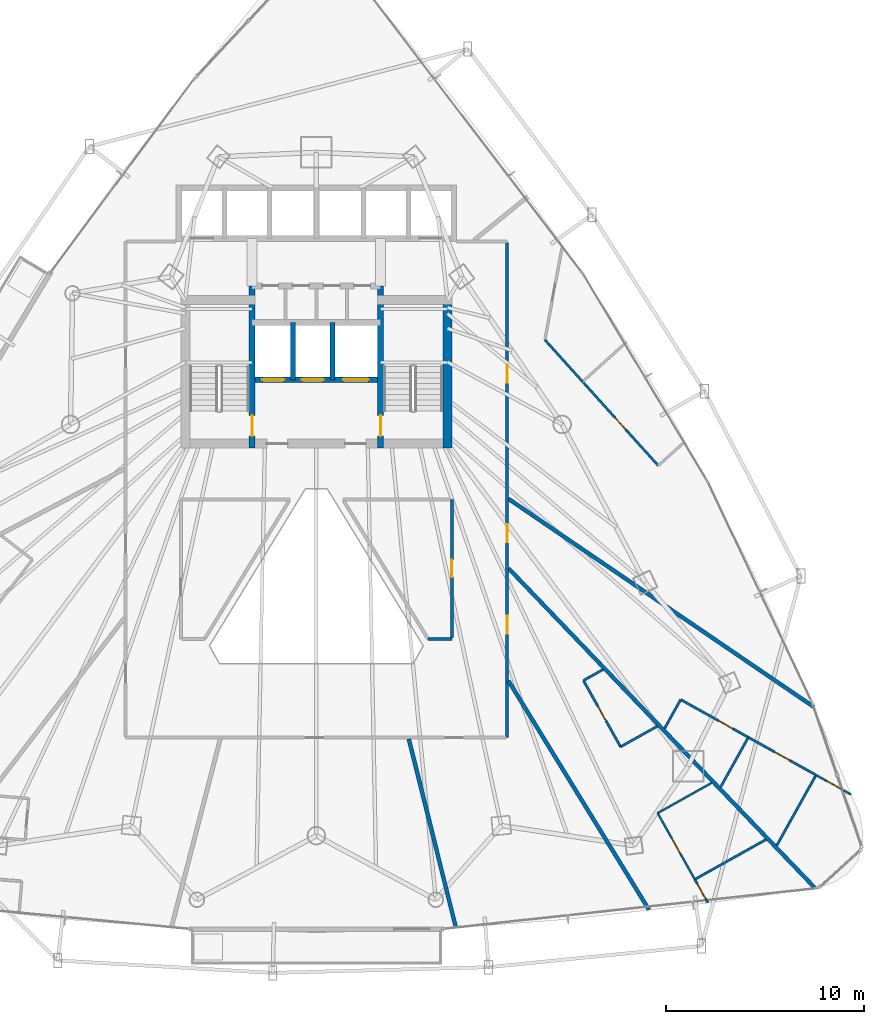
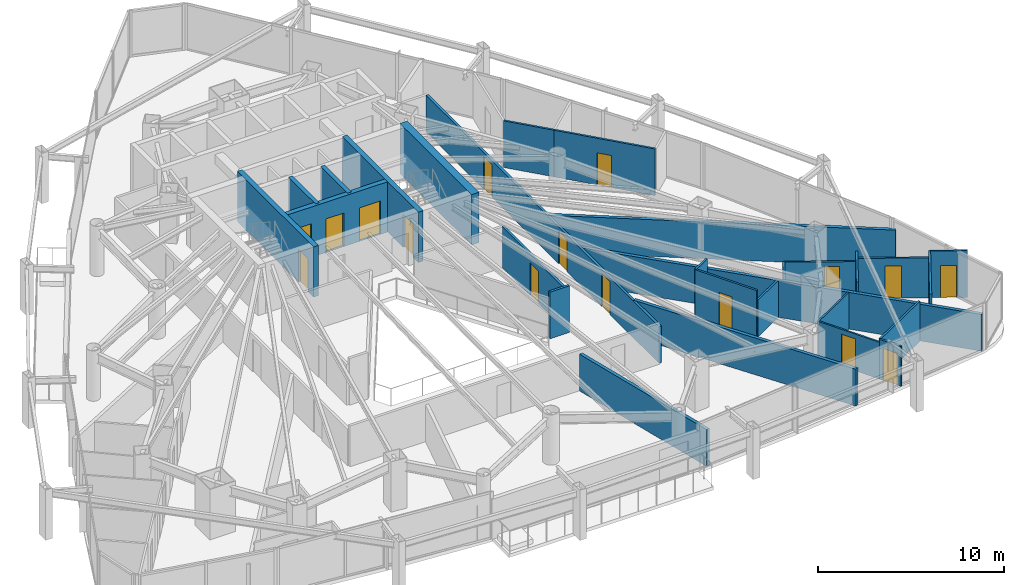
# One storey, part 30 of 34: 28 walls, 16 doors, 16 openings.
"""IFC4 building model written with IfcOpenShell, lengths in metres."""

from ifc_helpers import new_model, si_unit, direction, frame, frame_2d, origin, place, context, subcontext, project, spatial, rectangle, extrude, material, layer, layer_set, type_object, element, fill, save


model = new_model("IFC4")

# Units and contexts
model_context = context("Model", 3, precision=1e-05, world=origin(), true_north=direction((0.0, 1.0)))
body_context = subcontext(model_context, "Body", "Model", "MODEL_VIEW")
ifc_project = project(units=[si_unit("LENGTHUNIT", "METRE"), si_unit("AREAUNIT", "SQUARE_METRE"), si_unit("VOLUMEUNIT", "CUBIC_METRE"), si_unit("PLANEANGLEUNIT", "RADIAN"), si_unit("MASSUNIT", "GRAM", prefix="KILO")], contexts=[model_context])

# Site, building, storey
site_placement = place(None, origin())
site = spatial("IfcSite", under=ifc_project, at=site_placement, CompositionType="ELEMENT")
building_placement = place(site_placement, origin())
building = spatial("IfcBuilding", under=site, at=building_placement, Name="Orvanel Arch Residences", CompositionType="ELEMENT")
storey_placement = place(building_placement, frame((0.0, 0.0, 74.14990234375)))
storey = spatial("IfcBuildingStorey", under=building, at=storey_placement, Name="L20", CompositionType="ELEMENT", Elevation=74.14990234375)

# Walls
ifc_material_1 = material(Name="Concrete N50 (50 MPa)", Category="concrete")
ifc_layer_1 = layer(ifc_material_1, 0.25)
ifc_layer_set_1 = layer_set([ifc_layer_1], Name="Concrete N50 (50 MPa)")
wall_type_1 = type_object("IfcWallType", Name="SW-CORE-250", PredefinedType="SHEAR", material=ifc_layer_set_1)
for number, where, z_axis, x_axis, name in (
    (1, (31.824951171875, 29.89990234375, 0.0), (0.0, 0.0, 1.0), (0.0, 1.0, 0.0), "L20 Emergency Lift Inter-Shaft Wall F12"),
    (2, (33.824951171875, 29.89990234375, 0.0), (0.0, 0.0, 1.0), (0.0, 1.0, 0.0), "L20 Emergency Lift Inter-Shaft Wall F2G"),
):
    element("IfcWall", number, at=place(storey_placement, frame(where, z_axis=z_axis, x_axis=x_axis)), inside=storey, type_object=wall_type_1, Name=name, PredefinedType="SHEAR", context=body_context, shape_type="SweptSolid", body=[
        extrude(rectangle(XDim=2.900146484375, YDim=0.25, at=frame_2d((1.4501953125, 0.0))), origin(), (0.0, 0.0, 1.0), 3.300048828125),
    ])

# Wall, opening, door
ifc_material_2 = material(Name="Concrete S80 (80 MPa)", Category="concrete")
ifc_layer_2 = layer(ifc_material_2, 0.300048828125)
ifc_layer_set_2 = layer_set([ifc_layer_2], Name="Concrete S80 (80 MPa)")
wall_type_2 = type_object("IfcWallType", Name="SW-CORE-300", PredefinedType="SHEAR", material=ifc_layer_set_2)
wall_1_placement = place(storey_placement, frame((29.75, 26.449951171875, 0.0), z_axis=(0.0, 0.0, 1.0), x_axis=(0.0, 1.0, 0.0)))
wall_1 = element("IfcWall", 3, at=wall_1_placement, inside=storey, type_object=wall_type_2, Name="L20 West Inner Core Spine Shear Wall", PredefinedType="SHEAR", context=body_context, shape_type="SweptSolid", body=[
    extrude(rectangle(XDim=8.199951171875, YDim=0.300048828125, at=frame_2d((4.10009765625, 0.0))), origin(), (0.0, 0.0, 1.0), 3.300048828125),
])
opening_1_placement = place(wall_1_placement, frame((0.60009765625, 0.0, 0.0)))
opening_1 = element("IfcOpeningElement", 4, at=opening_1_placement, cuts=wall_1, Name="Opening DF-120", PredefinedType="OPENING", context=body_context, shape_type="SweptSolid", body=[
    extrude(rectangle(XDim=1.050048828125, YDim=2.14990234375, at=frame_2d((0.52490234375, 1.074951171875))), frame((0.0, 0.159912109375, 0.0), z_axis=(0.0, -1.0, 0.0), x_axis=(1.0, 0.0, 0.0)), (0.0, 0.0, 1.0), 0.320068359375),
])
ifc_material_3 = material(Name="Galvanised steel fire-resisting door assembly", Category="steel")
door_type_1 = type_object("IfcDoorType", Name="DR-FD120-1050", OperationType="NOTDEFINED", PredefinedType="DOOR", material=ifc_material_3)
door_1_placement = place(opening_1_placement, origin())
door_1 = element("IfcDoor", 5, at=door_1_placement, inside=storey, type_object=door_type_1, Name="DR-L20-ST1 L20 Stair 1 Fire Door", OperationType="SINGLE_SWING_LEFT", OverallHeight=2.14990234375, OverallWidth=1.050048828125, PredefinedType="DOOR", context=body_context, shape_type="SweptSolid", body=[
    extrude(rectangle(XDim=1.050048828125, YDim=2.14990234375, at=frame_2d((0.52490234375, 1.074951171875))), frame((0.0, 0.02490234375, 0.0), z_axis=(0.0, -1.0, 0.0), x_axis=(1.0, 0.0, 0.0)), (0.0, 0.0, 1.0), 0.050048828125),
])
fill(opening_1, door_1)

wall_2_placement = place(storey_placement, frame((36.25, 26.449951171875, 0.0), z_axis=(0.0, 0.0, 1.0), x_axis=(0.0, 1.0, 0.0)))
wall_2 = element("IfcWall", 6, at=wall_2_placement, inside=storey, type_object=wall_type_2, Name="L20 East Inner Core Spine Shear Wall", PredefinedType="SHEAR", context=body_context, shape_type="SweptSolid", body=[
    extrude(rectangle(XDim=8.199951171875, YDim=0.300048828125, at=frame_2d((4.10009765625, 0.0))), origin(), (0.0, 0.0, 1.0), 3.300048828125),
])
opening_2_placement = place(wall_2_placement, frame((0.60009765625, 0.0, 0.0)))
opening_2 = element("IfcOpeningElement", 7, at=opening_2_placement, cuts=wall_2, Name="Opening DF-120", PredefinedType="OPENING", context=body_context, shape_type="SweptSolid", body=[
    extrude(rectangle(XDim=1.050048828125, YDim=2.14990234375, at=frame_2d((0.52490234375, 1.074951171875))), frame((0.0, 0.159912109375, 0.0), z_axis=(0.0, -1.0, 0.0), x_axis=(1.0, 0.0, 0.0)), (0.0, 0.0, 1.0), 0.320068359375),
])
door_2_placement = place(opening_2_placement, origin())
door_2 = element("IfcDoor", 8, at=door_2_placement, inside=storey, type_object=door_type_1, Name="DR-L20-ST2 L20 Stair 2 Fire Door", OperationType="SINGLE_SWING_RIGHT", OverallHeight=2.14990234375, OverallWidth=1.050048828125, PredefinedType="DOOR", context=body_context, shape_type="SweptSolid", body=[
    extrude(rectangle(XDim=1.050048828125, YDim=2.14990234375, at=frame_2d((0.52490234375, 1.074951171875))), frame((0.0, 0.02490234375, 0.0), z_axis=(0.0, -1.0, 0.0), x_axis=(1.0, 0.0, 0.0)), (0.0, 0.0, 1.0), 0.050048828125),
])
fill(opening_2, door_2)

# Wall, openings, doors
wall_3_placement = place(storey_placement, frame((36.25, 29.89990234375, 0.0), z_axis=(0.0, 0.0, 1.0), x_axis=(-1.0, 0.0, 0.0)))
wall_3 = element("IfcWall", 9, at=wall_3_placement, inside=storey, type_object=wall_type_2, Name="L20 Emergency Lift Front Core Shear Wall", PredefinedType="SHEAR", context=body_context, shape_type="SweptSolid", body=[
    extrude(rectangle(XDim=6.5, YDim=0.300048828125, at=frame_2d((3.25, 0.0))), origin(), (0.0, 0.0, 1.0), 3.300048828125),
])
opening_3_placement = place(wall_3_placement, frame((4.875, 0.0, 0.0)))
opening_3 = element("IfcOpeningElement", 10, at=opening_3_placement, cuts=wall_3, Name="Opening LD-110", PredefinedType="OPENING", context=body_context, shape_type="SweptSolid", body=[
    extrude(rectangle(XDim=1.10009765625, YDim=2.199951171875, at=frame_2d((0.550048828125, 1.10009765625))), frame((0.0, 0.159912109375, 0.0), z_axis=(0.0, -1.0, 0.0), x_axis=(1.0, 0.0, 0.0)), (0.0, 0.0, 1.0), 0.320068359375),
])
opening_4_placement = place(wall_3_placement, frame((2.875, 0.0, 0.0)))
opening_4 = element("IfcOpeningElement", 11, at=opening_4_placement, cuts=wall_3, Name="Opening LD-110", PredefinedType="OPENING", context=body_context, shape_type="SweptSolid", body=[
    extrude(rectangle(XDim=1.10009765625, YDim=2.199951171875, at=frame_2d((0.550048828125, 1.10009765625))), frame((0.0, 0.159912109375, 0.0), z_axis=(0.0, -1.0, 0.0), x_axis=(1.0, 0.0, 0.0)), (0.0, 0.0, 1.0), 0.320068359375),
])
opening_5_placement = place(wall_3_placement, frame((0.60009765625, 0.0, 0.0)))
opening_5 = element("IfcOpeningElement", 12, at=opening_5_placement, cuts=wall_3, Name="Opening LD-130", PredefinedType="OPENING", context=body_context, shape_type="SweptSolid", body=[
    extrude(rectangle(XDim=1.300048828125, YDim=2.199951171875, at=frame_2d((0.64990234375, 1.10009765625))), frame((0.0, 0.159912109375, 0.0), z_axis=(0.0, -1.0, 0.0), x_axis=(1.0, 0.0, 0.0)), (0.0, 0.0, 1.0), 0.320068359375),
])
door_type_2 = type_object("IfcDoorType", Name="DR-LFT-1100", OperationType="NOTDEFINED", PredefinedType="DOOR", material=ifc_material_3)
door_3_placement = place(opening_3_placement, origin())
door_3 = element("IfcDoor", 13, at=door_3_placement, inside=storey, type_object=door_type_2, Name="LD-F1-L20 L20 Lift F1 Sliding Landing Door", OperationType="DOUBLE_DOOR_SLIDING", OverallHeight=2.199951171875, OverallWidth=1.10009765625, PredefinedType="DOOR", context=body_context, shape_type="SweptSolid", body=[
    extrude(rectangle(XDim=1.10009765625, YDim=2.199951171875, at=frame_2d((0.550048828125, 1.10009765625))), frame((0.0, 0.02490234375, 0.0), z_axis=(0.0, -1.0, 0.0), x_axis=(1.0, 0.0, 0.0)), (0.0, 0.0, 1.0), 0.050048828125),
])
fill(opening_3, door_3)
door_4_placement = place(opening_4_placement, origin())
door_4 = element("IfcDoor", 14, at=door_4_placement, inside=storey, type_object=door_type_2, Name="LD-F2-L20 L20 Lift F2 Sliding Landing Door", OperationType="DOUBLE_DOOR_SLIDING", OverallHeight=2.199951171875, OverallWidth=1.10009765625, PredefinedType="DOOR", context=body_context, shape_type="SweptSolid", body=[
    extrude(rectangle(XDim=1.10009765625, YDim=2.199951171875, at=frame_2d((0.550048828125, 1.10009765625))), frame((0.0, 0.02490234375, 0.0), z_axis=(0.0, -1.0, 0.0), x_axis=(1.0, 0.0, 0.0)), (0.0, 0.0, 1.0), 0.050048828125),
])
fill(opening_4, door_4)
door_type_3 = type_object("IfcDoorType", Name="DR-LFT-1300", OperationType="NOTDEFINED", PredefinedType="DOOR", material=ifc_material_3)
door_5_placement = place(opening_5_placement, origin())
door_5 = element("IfcDoor", 15, at=door_5_placement, inside=storey, type_object=door_type_3, Name="LD-G1-L20 L20 Lift G1 Sliding Landing Door", OperationType="DOUBLE_DOOR_SLIDING", OverallHeight=2.199951171875, OverallWidth=1.300048828125, PredefinedType="DOOR", context=body_context, shape_type="SweptSolid", body=[
    extrude(rectangle(XDim=1.300048828125, YDim=2.199951171875, at=frame_2d((0.64990234375, 1.10009765625))), frame((0.0, 0.02490234375, 0.0), z_axis=(0.0, -1.0, 0.0), x_axis=(1.0, 0.0, 0.0)), (0.0, 0.0, 1.0), 0.050048828125),
])
fill(opening_5, door_5)

# Wall
ifc_layer_3 = layer(ifc_material_2, 0.449951171875)
ifc_layer_set_3 = layer_set([ifc_layer_3], Name="Concrete S80 (80 MPa)")
wall_type_3 = type_object("IfcWallType", Name="SW-CORE-450", PredefinedType="SHEAR", material=ifc_layer_set_3)
wall_4_placement = place(storey_placement, frame((39.625, 26.449951171875, 0.0), z_axis=(0.0, 0.0, 1.0), x_axis=(0.0, 1.0, 0.0)))
element("IfcWall", 16, at=wall_4_placement, inside=storey, type_object=wall_type_3, Name="L20 East Stair Shear Wall", PredefinedType="SHEAR", context=body_context, shape_type="SweptSolid", body=[
    extrude(rectangle(XDim=7.699951171875, YDim=0.449951171875, at=frame_2d((3.85009765625, 0.0))), origin(), (0.0, 0.0, 1.0), 3.300048828125),
])

# Wall, openings, doors
ifc_material_4 = material(Name="Fire-rated plasterboard lined steel stud partition", Category="steel")
ifc_layer_4 = layer(ifc_material_4, 0.14990234375)
ifc_layer_set_4 = layer_set([ifc_layer_4], Name="Fire-rated plasterboard lined steel stud partition")
wall_type_4 = type_object("IfcWallType", Name="W-COR-150", PredefinedType="PARTITIONING", material=ifc_layer_set_4)
wall_5_placement = place(storey_placement, frame((42.64990234375, 36.840087890625, 0.0), z_axis=(0.0, 0.0, 1.0), x_axis=(0.0, -1.0, 0.0)))
wall_5 = element("IfcWall", 17, at=wall_5_placement, inside=storey, type_object=wall_type_4, Name="L20 Corridor Fire-Rated Partition", PredefinedType="PARTITIONING", context=body_context, shape_type="SweptSolid", body=[
    extrude(rectangle(XDim=25.0400390625, YDim=0.14990234375, at=frame_2d((12.52001953125, 0.0))), origin(), (0.0, 0.0, 1.0), 2.4130859375),
])
opening_6_placement = place(wall_5_placement, frame((6.1708984375, 0.0, 0.0)))
opening_6 = element("IfcOpeningElement", 18, at=opening_6_placement, cuts=wall_5, Name="Opening DA-092", PredefinedType="OPENING", context=body_context, shape_type="SweptSolid", body=[
    extrude(rectangle(XDim=0.919921875, YDim=2.14990234375, at=frame_2d((0.4599609375, 1.074951171875))), frame((0.0, 0.0849609375, 0.0), z_axis=(0.0, -1.0, 0.0), x_axis=(1.0, 0.0, 0.0)), (0.0, 0.0, 1.0), 0.169921875),
])
opening_7_placement = place(wall_5_placement, frame((14.2490234375, 0.0, 0.0)))
opening_7 = element("IfcOpeningElement", 19, at=opening_7_placement, cuts=wall_5, Name="Opening DA-092", PredefinedType="OPENING", context=body_context, shape_type="SweptSolid", body=[
    extrude(rectangle(XDim=0.919921875, YDim=2.14990234375, at=frame_2d((0.4599609375, 1.074951171875))), frame((0.0, 0.0849609375, 0.0), z_axis=(0.0, -1.0, 0.0), x_axis=(1.0, 0.0, 0.0)), (0.0, 0.0, 1.0), 0.169921875),
])
opening_8_placement = place(wall_5_placement, frame((18.8720703125, 0.0, 0.0)))
opening_8 = element("IfcOpeningElement", 20, at=opening_8_placement, cuts=wall_5, Name="Opening DA-092", PredefinedType="OPENING", context=body_context, shape_type="SweptSolid", body=[
    extrude(rectangle(XDim=0.919921875, YDim=2.14990234375, at=frame_2d((0.4599609375, 1.074951171875))), frame((0.0, 0.0849609375, 0.0), z_axis=(0.0, -1.0, 0.0), x_axis=(1.0, 0.0, 0.0)), (0.0, 0.0, 1.0), 0.169921875),
])
ifc_material_5 = material(Name="Solid-core European oak veneer fire door leaf", Category="wood")
door_type_4 = type_object("IfcDoorType", Name="DR-APT-920", OperationType="NOTDEFINED", PredefinedType="DOOR", material=ifc_material_5)
door_6_placement = place(opening_6_placement, origin())
door_6 = element("IfcDoor", 21, at=door_6_placement, inside=storey, type_object=door_type_4, Name="DR-L20-C-ENT L20 Studio C Entrance Door", OperationType="SINGLE_SWING_RIGHT", OverallHeight=2.14990234375, OverallWidth=0.919921875, PredefinedType="DOOR", context=body_context, shape_type="SweptSolid", body=[
    extrude(rectangle(XDim=0.919921875, YDim=2.14990234375, at=frame_2d((0.4599609375, 1.074951171875))), frame((0.0, 0.02490234375, 0.0), z_axis=(0.0, -1.0, 0.0), x_axis=(1.0, 0.0, 0.0)), (0.0, 0.0, 1.0), 0.050048828125),
])
fill(opening_6, door_6)
door_7_placement = place(opening_7_placement, origin())
door_7 = element("IfcDoor", 22, at=door_7_placement, inside=storey, type_object=door_type_4, Name="DR-L20-F-ENT L20 Flat F Entrance Door", OperationType="SINGLE_SWING_LEFT", OverallHeight=2.14990234375, OverallWidth=0.919921875, PredefinedType="DOOR", context=body_context, shape_type="SweptSolid", body=[
    extrude(rectangle(XDim=0.919921875, YDim=2.14990234375, at=frame_2d((0.4599609375, 1.074951171875))), frame((0.0, 0.02490234375, 0.0), z_axis=(0.0, -1.0, 0.0), x_axis=(1.0, 0.0, 0.0)), (0.0, 0.0, 1.0), 0.050048828125),
])
fill(opening_7, door_7)
door_8_placement = place(opening_8_placement, origin())
door_8 = element("IfcDoor", 23, at=door_8_placement, inside=storey, type_object=door_type_4, Name="DR-L20-G-ENT L20 Studio G Entrance Door", OperationType="SINGLE_SWING_RIGHT", OverallHeight=2.14990234375, OverallWidth=0.919921875, PredefinedType="DOOR", context=body_context, shape_type="SweptSolid", body=[
    extrude(rectangle(XDim=0.919921875, YDim=2.14990234375, at=frame_2d((0.4599609375, 1.074951171875))), frame((0.0, 0.02490234375, 0.0), z_axis=(0.0, -1.0, 0.0), x_axis=(1.0, 0.0, 0.0)), (0.0, 0.0, 1.0), 0.050048828125),
])
fill(opening_8, door_8)

# Wall
wall_6_placement = place(storey_placement, frame((38.64990234375, 16.800048828125, 0.0), z_axis=(0.0, 0.0, 1.0), x_axis=(1.0, 0.0, 0.0)))
element("IfcWall", 24, at=wall_6_placement, inside=storey, type_object=wall_type_4, Name="L20 Corridor Fire-Rated Partition", PredefinedType="PARTITIONING", context=body_context, shape_type="SweptSolid", body=[
    extrude(rectangle(XDim=1.2001953125, YDim=0.14990234375, at=frame_2d((0.60009765625, 0.0))), origin(), (0.0, 0.0, 1.0), 3.06005859375),
])

# Wall, opening, door
wall_7_placement = place(storey_placement, frame((39.85009765625, 16.860107421875, 0.0), z_axis=(0.0, 0.0, 1.0), x_axis=(0.0, 1.0, 0.0)))
wall_7 = element("IfcWall", 25, at=wall_7_placement, inside=storey, type_object=wall_type_4, Name="L20 Corridor Fire-Rated Partition", PredefinedType="PARTITIONING", context=body_context, shape_type="SweptSolid", body=[
    extrude(rectangle(XDim=6.989990234375, YDim=0.14990234375, at=frame_2d((3.4951171875, 0.0))), origin(), (0.0, 0.0, 1.0), 2.669189453125),
])
opening_9_placement = place(wall_7_placement, frame((3.054931640625, 0.0, 0.0)))
opening_9 = element("IfcOpeningElement", 26, at=opening_9_placement, cuts=wall_7, Name="Opening DI-088", PredefinedType="OPENING", context=body_context, shape_type="SweptSolid", body=[
    extrude(rectangle(XDim=0.8798828125, YDim=2.10009765625, at=frame_2d((0.43994140625, 1.050048828125))), frame((0.0, 0.0849609375, 0.0), z_axis=(0.0, -1.0, 0.0), x_axis=(1.0, 0.0, 0.0)), (0.0, 0.0, 1.0), 0.169921875),
])
door_type_5 = type_object("IfcDoorType", Name="DR-INT-880", OperationType="NOTDEFINED", PredefinedType="DOOR", material=ifc_material_5)
door_9_placement = place(opening_9_placement, origin())
door_9 = element("IfcDoor", 27, at=door_9_placement, inside=storey, type_object=door_type_5, Name="DR-L20-SHRD-FB9 L20 Co-Working Study Office I Door", OperationType="SINGLE_SWING_LEFT", OverallHeight=2.10009765625, OverallWidth=0.8798828125, PredefinedType="DOOR", context=body_context, shape_type="SweptSolid", body=[
    extrude(rectangle(XDim=0.8798828125, YDim=2.10009765625, at=frame_2d((0.43994140625, 1.050048828125))), frame((0.0, 0.02490234375, 0.0), z_axis=(0.0, -1.0, 0.0), x_axis=(1.0, 0.0, 0.0)), (0.0, 0.0, 1.0), 0.050048828125),
])
fill(opening_9, door_9)

# Walls
ifc_layer_5 = layer(ifc_material_4, 0.199951171875)
ifc_layer_set_5 = layer_set([ifc_layer_5], Name="Fire-rated plasterboard lined steel stud partition")
wall_type_5 = type_object("IfcWallType", Name="W-DEM-200", PredefinedType="PARTITIONING", material=ifc_layer_set_5)
wall_8_placement = place(storey_placement, frame((58.1650390625, 13.35009765625, 0.0), z_axis=(0.0, 0.0, 1.0), x_axis=(-0.826341659386, 0.563169123766, 0.0)))
element("IfcWall", 28, at=wall_8_placement, inside=storey, type_object=wall_type_5, Name="L20 Inter-Tenancy Acoustic Demising Wall", PredefinedType="PARTITIONING", context=body_context, shape_type="SweptSolid", body=[
    extrude(rectangle(XDim=18.703125, YDim=0.199951171875, at=frame_2d((9.3515625, 0.0))), origin(), (0.0, 0.0, 1.0), 2.4130859375),
])
wall_9_placement = place(storey_placement, frame((37.677001953125, 11.739990234375, 0.0), z_axis=(0.0, 0.0, 1.0), x_axis=(0.241946282122, -0.970289645707, 0.0)))
element("IfcWall", 29, at=wall_9_placement, inside=storey, type_object=wall_type_5, Name="L20 Inter-Tenancy Acoustic Demising Wall", PredefinedType="PARTITIONING", context=body_context, shape_type="SweptSolid", body=[
    extrude(rectangle(XDim=9.845458984375, YDim=0.199951171875, at=frame_2d((4.9228515625, 0.0))), origin(), (0.0, 0.0, 1.0), 2.4130859375),
])
wall_10_placement = place(storey_placement, frame((58.237060546875, 4.178955078125, 0.0), z_axis=(0.0, 0.0, 1.0), x_axis=(-0.69208567792, 0.721815360337, 0.0)))
element("IfcWall", 30, at=wall_10_placement, inside=storey, type_object=wall_type_5, Name="L20 Inter-Tenancy Acoustic Demising Wall", PredefinedType="PARTITIONING", context=body_context, shape_type="SweptSolid", body=[
    extrude(rectangle(XDim=22.435302734375, YDim=0.199951171875, at=frame_2d((11.2177734375, 0.0))), origin(), (0.0, 0.0, 1.0), 2.4130859375),
])
wall_11_placement = place(storey_placement, frame((49.826904296875, 3.090087890625, 0.0), z_axis=(0.0, 0.0, 1.0), x_axis=(-0.523146880199, 0.852242536921, 0.0)))
element("IfcWall", 31, at=wall_11_placement, inside=storey, type_object=wall_type_5, Name="L20 Inter-Tenancy Acoustic Demising Wall", PredefinedType="PARTITIONING", context=body_context, shape_type="SweptSolid", body=[
    extrude(rectangle(XDim=13.60400390625, YDim=0.199951171875, at=frame_2d((6.802001953125, 0.0))), origin(), (0.0, 0.0, 1.0), 2.4130859375),
])

# Wall, opening, door
ifc_material_6 = material(Name="Acoustic plasterboard lined twin-stud partition", Category="gypsum")
ifc_layer_6 = layer(ifc_material_6, 0.10009765625)
ifc_layer_set_6 = layer_set([ifc_layer_6], Name="Acoustic plasterboard lined twin-stud partition")
wall_type_6 = type_object("IfcWallType", Name="W-INT-100", PredefinedType="PARTITIONING", material=ifc_layer_set_6)
wall_12_placement = place(storey_placement, frame((60.0439453125, 8.923095703125, 0.0), z_axis=(0.0, 0.0, 1.0), x_axis=(-0.873680423781, 0.486500274514, 0.0)))
wall_12 = element("IfcWall", 32, at=wall_12_placement, inside=storey, type_object=wall_type_6, Name="L20 Flat F Internal Partition", PredefinedType="PARTITIONING", context=body_context, shape_type="SweptSolid", body=[
    extrude(rectangle(XDim=2.030517578125, YDim=0.10009765625, at=frame_2d((1.01513671875, 0.0))), origin(), (0.0, 0.0, 1.0), 3.06005859375),
])
opening_10_placement = place(wall_12_placement, frame((0.574951171875, 0.0, 0.0)))
opening_10 = element("IfcOpeningElement", 33, at=opening_10_placement, cuts=wall_12, Name="Opening DI-088", PredefinedType="OPENING", context=body_context, shape_type="SweptSolid", body=[
    extrude(rectangle(XDim=0.8798828125, YDim=2.10009765625, at=frame_2d((0.43994140625, 1.050048828125))), frame((0.0, 0.06005859375, 0.0), z_axis=(0.0, -1.0, 0.0), x_axis=(1.0, 0.0, 0.0)), (0.0, 0.0, 1.0), 0.1201171875),
])
door_10_placement = place(opening_10_placement, origin())
door_10 = element("IfcDoor", 34, at=door_10_placement, inside=storey, type_object=door_type_5, Name="DR-L20-F-BED1 L20 Flat F Bedroom 1 Door", OperationType="SINGLE_SWING_LEFT", OverallHeight=2.10009765625, OverallWidth=0.8798828125, PredefinedType="DOOR", context=body_context, shape_type="SweptSolid", body=[
    extrude(rectangle(XDim=0.8798828125, YDim=2.10009765625, at=frame_2d((0.43994140625, 1.050048828125))), frame((0.0, 0.02490234375, 0.0), z_axis=(0.0, -1.0, 0.0), x_axis=(1.0, 0.0, 0.0)), (0.0, 0.0, 1.0), 0.050048828125),
])
fill(opening_10, door_10)

# Wall
wall_13_placement = place(storey_placement, frame((52.9990234375, 9.51904296875, 0.0), z_axis=(0.0, 0.0, 1.0), x_axis=(-0.87247814598, -0.488653133406, 0.0)))
element("IfcWall", 35, at=wall_13_placement, inside=storey, type_object=wall_type_6, Name="L20 Studio G Internal Partition", PredefinedType="PARTITIONING", context=body_context, shape_type="SweptSolid", body=[
    extrude(rectangle(XDim=3.13720703125, YDim=0.10009765625, at=frame_2d((1.568603515625, 0.0))), origin(), (0.0, 0.0, 1.0), 2.4130859375),
])

# Wall, opening, door
wall_14_placement = place(storey_placement, frame((50.261962890625, 7.986083984375, 0.0), z_axis=(0.0, 0.0, 1.0), x_axis=(0.488564666262, -0.872527688317, 0.0)))
wall_14 = element("IfcWall", 36, at=wall_14_placement, inside=storey, type_object=wall_type_6, Name="L20 Studio G Internal Partition", PredefinedType="PARTITIONING", context=body_context, shape_type="SweptSolid", body=[
    extrude(rectangle(XDim=3.841796875, YDim=0.10009765625, at=frame_2d((1.9208984375, 0.0))), origin(), (0.0, 0.0, 1.0), 2.4130859375),
])
opening_11_placement = place(wall_14_placement, frame((1.48095703125, 0.0, 0.0)))
opening_11 = element("IfcOpeningElement", 37, at=opening_11_placement, cuts=wall_14, Name="Opening DI-088", PredefinedType="OPENING", context=body_context, shape_type="SweptSolid", body=[
    extrude(rectangle(XDim=0.8798828125, YDim=2.10009765625, at=frame_2d((0.43994140625, 1.050048828125))), frame((0.0, 0.06005859375, 0.0), z_axis=(0.0, -1.0, 0.0), x_axis=(1.0, 0.0, 0.0)), (0.0, 0.0, 1.0), 0.1201171875),
])
door_11_placement = place(opening_11_placement, origin())
door_11 = element("IfcDoor", 38, at=door_11_placement, inside=storey, type_object=door_type_5, Name="DR-L20-G-DIN1 L20 Studio G Dining Room 1 Door", OperationType="SINGLE_SWING_LEFT", OverallHeight=2.10009765625, OverallWidth=0.8798828125, PredefinedType="DOOR", context=body_context, shape_type="SweptSolid", body=[
    extrude(rectangle(XDim=0.8798828125, YDim=2.10009765625, at=frame_2d((0.43994140625, 1.050048828125))), frame((0.0, 0.02490234375, 0.0), z_axis=(0.0, -1.0, 0.0), x_axis=(1.0, 0.0, 0.0)), (0.0, 0.0, 1.0), 0.050048828125),
])
fill(opening_11, door_11)

ifc_layer_7 = layer(ifc_material_6, 0.1201171875)
ifc_layer_set_7 = layer_set([ifc_layer_7], Name="Acoustic plasterboard lined twin-stud partition")
wall_type_7 = type_object("IfcWallType", Name="W-WET-120", PredefinedType="PARTITIONING", material=ifc_layer_set_7)
wall_15_placement = place(storey_placement, frame((46.466064453125, 29.802978515625, 0.0), z_axis=(0.0, 0.0, 1.0), x_axis=(0.669491047861, -0.742820124144, 0.0)))
wall_15 = element("IfcWall", 39, at=wall_15_placement, inside=storey, type_object=wall_type_7, Name="L20 Studio C Bathroom Partition", PredefinedType="PARTITIONING", context=body_context, shape_type="SweptSolid", body=[
    extrude(rectangle(XDim=5.713134765625, YDim=0.1201171875, at=frame_2d((2.8564453125, 0.0))), origin(), (0.0, 0.0, 1.0), 3.06005859375),
])
opening_12_placement = place(wall_15_placement, frame((2.447021484375, 0.0, 0.0)))
opening_12 = element("IfcOpeningElement", 40, at=opening_12_placement, cuts=wall_15, Name="Opening DW-082", PredefinedType="OPENING", context=body_context, shape_type="SweptSolid", body=[
    extrude(rectangle(XDim=0.820068359375, YDim=2.10009765625, at=frame_2d((0.41015625, 1.050048828125))), frame((0.0, 0.070068359375, 0.0), z_axis=(0.0, -1.0, 0.0), x_axis=(1.0, 0.0, 0.0)), (0.0, 0.0, 1.0), 0.14013671875),
])
door_type_6 = type_object("IfcDoorType", Name="DR-WET-820", OperationType="NOTDEFINED", PredefinedType="DOOR", material=ifc_material_5)
door_12_placement = place(opening_12_placement, origin())
door_12 = element("IfcDoor", 41, at=door_12_placement, inside=storey, type_object=door_type_6, Name="DR-L20-C-BATH L20 Studio C Bathroom Door", OperationType="SINGLE_SWING_RIGHT", OverallHeight=2.10009765625, OverallWidth=0.820068359375, PredefinedType="DOOR", context=body_context, shape_type="SweptSolid", body=[
    extrude(rectangle(XDim=0.820068359375, YDim=2.10009765625, at=frame_2d((0.41015625, 1.050048828125))), frame((0.0, 0.02490234375, 0.0), z_axis=(0.0, -1.0, 0.0), x_axis=(1.0, 0.0, 0.0)), (0.0, 0.0, 1.0), 0.050048828125),
])
fill(opening_12, door_12)

# Wall
wall_16_placement = place(storey_placement, frame((44.55810546875, 31.9189453125, 0.0), z_axis=(0.0, 0.0, 1.0), x_axis=(0.669660366513, -0.742667485165, 0.0)))
element("IfcWall", 42, at=wall_16_placement, inside=storey, type_object=wall_type_7, Name="L20 Studio C Internal Partition", PredefinedType="PARTITIONING", context=body_context, shape_type="SweptSolid", body=[
    extrude(rectangle(XDim=2.84912109375, YDim=0.1201171875, at=frame_2d((1.424560546875, 0.0))), origin(), (0.0, 0.0, 1.0), 3.06005859375),
])

# Wall, opening, door
wall_17_placement = place(storey_placement, frame((54.846923828125, 11.818115234375, 0.0), z_axis=(0.0, 0.0, 1.0), x_axis=(-0.87346578699, 0.486885529624, 0.0)))
wall_17 = element("IfcWall", 43, at=wall_17_placement, inside=storey, type_object=wall_type_7, Name="L20 Flat F Bathroom Partition", PredefinedType="PARTITIONING", context=body_context, shape_type="SweptSolid", body=[
    extrude(rectangle(XDim=3.918701171875, YDim=0.1201171875, at=frame_2d((1.95947265625, 0.0))), origin(), (0.0, 0.0, 1.0), 2.4130859375),
])
opening_13_placement = place(wall_17_placement, frame((0.909912109375, 0.0, 0.0)))
opening_13 = element("IfcOpeningElement", 44, at=opening_13_placement, cuts=wall_17, Name="Opening DW-082", PredefinedType="OPENING", context=body_context, shape_type="SweptSolid", body=[
    extrude(rectangle(XDim=0.820068359375, YDim=2.10009765625, at=frame_2d((0.41015625, 1.050048828125))), frame((0.0, 0.070068359375, 0.0), z_axis=(0.0, -1.0, 0.0), x_axis=(1.0, 0.0, 0.0)), (0.0, 0.0, 1.0), 0.14013671875),
])
door_13_placement = place(opening_13_placement, origin())
door_13 = element("IfcDoor", 45, at=door_13_placement, inside=storey, type_object=door_type_6, Name="DR-L20-F-BATH L20 Flat F Bathroom Door", OperationType="SINGLE_SWING_RIGHT", OverallHeight=2.10009765625, OverallWidth=0.820068359375, PredefinedType="DOOR", context=body_context, shape_type="SweptSolid", body=[
    extrude(rectangle(XDim=0.820068359375, YDim=2.10009765625, at=frame_2d((0.41015625, 1.050048828125))), frame((0.0, 0.02490234375, 0.0), z_axis=(0.0, -1.0, 0.0), x_axis=(1.0, 0.0, 0.0)), (0.0, 0.0, 1.0), 0.050048828125),
])
fill(opening_13, door_13)

# Wall
wall_18_placement = place(storey_placement, frame((51.424072265625, 13.72607421875, 0.0), z_axis=(0.0, 0.0, 1.0), x_axis=(-0.486605473044, -0.873621836726, 0.0)))
element("IfcWall", 46, at=wall_18_placement, inside=storey, type_object=wall_type_7, Name="L20 Flat F Bathroom Partition", PredefinedType="PARTITIONING", context=body_context, shape_type="SweptSolid", body=[
    extrude(rectangle(XDim=1.67919921875, YDim=0.1201171875, at=frame_2d((0.839599609375, 0.0))), origin(), (0.0, 0.0, 1.0), 2.4130859375),
])

# Wall, opening, door
wall_19_placement = place(storey_placement, frame((58.27001953125, 9.910888671875, 0.0), z_axis=(0.0, 0.0, 1.0), x_axis=(-0.873560029318, 0.486716421727, 0.0)))
wall_19 = element("IfcWall", 47, at=wall_19_placement, inside=storey, type_object=wall_type_7, Name="L20 Flat F Internal Partition", PredefinedType="PARTITIONING", context=body_context, shape_type="SweptSolid", body=[
    extrude(rectangle(XDim=3.91845703125, YDim=0.1201171875, at=frame_2d((1.959228515625, 0.0))), origin(), (0.0, 0.0, 1.0), 2.619140625),
])
opening_14_placement = place(wall_19_placement, frame((1.51904296875, 0.0, 0.0)))
opening_14 = element("IfcOpeningElement", 48, at=opening_14_placement, cuts=wall_19, Name="Opening DI-088", PredefinedType="OPENING", context=body_context, shape_type="SweptSolid", body=[
    extrude(rectangle(XDim=0.8798828125, YDim=2.10009765625, at=frame_2d((0.43994140625, 1.050048828125))), frame((0.0, 0.070068359375, 0.0), z_axis=(0.0, -1.0, 0.0), x_axis=(1.0, 0.0, 0.0)), (0.0, 0.0, 1.0), 0.14013671875),
])
door_14_placement = place(opening_14_placement, origin())
door_14 = element("IfcDoor", 49, at=door_14_placement, inside=storey, type_object=door_type_5, Name="DR-L20-F-KIT L20 Flat F Kitchen Door", OperationType="SINGLE_SWING_LEFT", OverallHeight=2.10009765625, OverallWidth=0.8798828125, PredefinedType="DOOR", context=body_context, shape_type="SweptSolid", body=[
    extrude(rectangle(XDim=0.8798828125, YDim=2.10009765625, at=frame_2d((0.43994140625, 1.050048828125))), frame((0.0, 0.02490234375, 0.0), z_axis=(0.0, -1.0, 0.0), x_axis=(1.0, 0.0, 0.0)), (0.0, 0.0, 1.0), 0.050048828125),
])
fill(opening_14, door_14)

# Walls
wall_20_placement = place(storey_placement, frame((54.846923828125, 11.818115234375, 0.0), z_axis=(0.0, 0.0, 1.0), x_axis=(-0.486822226103, -0.873501070504, 0.0)))
element("IfcWall", 50, at=wall_20_placement, inside=storey, type_object=wall_type_7, Name="L20 Flat F Bathroom Partition", PredefinedType="PARTITIONING", context=body_context, shape_type="SweptSolid", body=[
    extrude(rectangle(XDim=2.881591796875, YDim=0.1201171875, at=frame_2d((1.44091796875, 0.0))), origin(), (0.0, 0.0, 1.0), 3.06005859375),
])
wall_21_placement = place(storey_placement, frame((58.27001953125, 9.910888671875, 0.0), z_axis=(0.0, 0.0, 1.0), x_axis=(-0.486824622959, -0.873499734677, 0.0)))
element("IfcWall", 51, at=wall_21_placement, inside=storey, type_object=wall_type_7, Name="L20 Flat F Internal Partition", PredefinedType="PARTITIONING", context=body_context, shape_type="SweptSolid", body=[
    extrude(rectangle(XDim=4.085693359375, YDim=0.1201171875, at=frame_2d((2.04296875, 0.0))), origin(), (0.0, 0.0, 1.0), 3.06005859375),
])
wall_22_placement = place(storey_placement, frame((47.5048828125, 15.2490234375, 0.0), z_axis=(0.0, 0.0, 1.0), x_axis=(-0.872914025969, -0.487874064967, 0.0)))
element("IfcWall", 52, at=wall_22_placement, inside=storey, type_object=wall_type_7, Name="L20 Studio G Bathroom Partition", PredefinedType="PARTITIONING", context=body_context, shape_type="SweptSolid", body=[
    extrude(rectangle(XDim=1.141845703125, YDim=0.1201171875, at=frame_2d((0.57080078125, 0.0))), origin(), (0.0, 0.0, 1.0), 3.06005859375),
])

# Wall, opening, door
wall_23_placement = place(storey_placement, frame((46.508056640625, 14.69189453125, 0.0), z_axis=(0.0, 0.0, 1.0), x_axis=(0.488483407483, -0.872573183529, 0.0)))
wall_23 = element("IfcWall", 53, at=wall_23_placement, inside=storey, type_object=wall_type_7, Name="L20 Studio G Bathroom Partition", PredefinedType="PARTITIONING", context=body_context, shape_type="SweptSolid", body=[
    extrude(rectangle(XDim=3.842529296875, YDim=0.1201171875, at=frame_2d((1.92138671875, 0.0))), origin(), (0.0, 0.0, 1.0), 3.06005859375),
])
opening_15_placement = place(wall_23_placement, frame((1.510986328125, 0.0, 0.0)))
opening_15 = element("IfcOpeningElement", 54, at=opening_15_placement, cuts=wall_23, Name="Opening DW-082", PredefinedType="OPENING", context=body_context, shape_type="SweptSolid", body=[
    extrude(rectangle(XDim=0.820068359375, YDim=2.10009765625, at=frame_2d((0.41015625, 1.050048828125))), frame((0.0, 0.070068359375, 0.0), z_axis=(0.0, -1.0, 0.0), x_axis=(1.0, 0.0, 0.0)), (0.0, 0.0, 1.0), 0.14013671875),
])
door_15_placement = place(opening_15_placement, origin())
door_15 = element("IfcDoor", 55, at=door_15_placement, inside=storey, type_object=door_type_6, Name="DR-L20-G-BATH L20 Studio G Bathroom Door", OperationType="SINGLE_SWING_RIGHT", OverallHeight=2.10009765625, OverallWidth=0.820068359375, PredefinedType="DOOR", context=body_context, shape_type="SweptSolid", body=[
    extrude(rectangle(XDim=0.820068359375, YDim=2.10009765625, at=frame_2d((0.41015625, 1.050048828125))), frame((0.0, 0.02490234375, 0.0), z_axis=(0.0, -1.0, 0.0), x_axis=(1.0, 0.0, 0.0)), (0.0, 0.0, 1.0), 0.050048828125),
])
fill(opening_15, door_15)

# Wall
wall_24_placement = place(storey_placement, frame((48.385009765625, 11.339111328125, 0.0), z_axis=(0.0, 0.0, 1.0), x_axis=(0.872618854318, 0.488401817246, 0.0)))
element("IfcWall", 56, at=wall_24_placement, inside=storey, type_object=wall_type_7, Name="L20 Studio G Bathroom Partition", PredefinedType="PARTITIONING", context=body_context, shape_type="SweptSolid", body=[
    extrude(rectangle(XDim=2.139404296875, YDim=0.1201171875, at=frame_2d((1.06982421875, 0.0))), origin(), (0.0, 0.0, 1.0), 2.4130859375),
])

# Wall, opening, door
wall_25_placement = place(storey_placement, frame((52.138916015625, 4.634033203125, 0.0), z_axis=(0.0, 0.0, 1.0), x_axis=(0.488778203453, -0.872408085605, 0.0)))
wall_25 = element("IfcWall", 57, at=wall_25_placement, inside=storey, type_object=wall_type_7, Name="L20 Studio G Internal Partition", PredefinedType="PARTITIONING", context=body_context, shape_type="SweptSolid", body=[
    extrude(rectangle(XDim=1.360595703125, YDim=0.1201171875, at=frame_2d((0.68017578125, 0.0))), origin(), (0.0, 0.0, 1.0), 2.619140625),
])
opening_16_placement = place(wall_25_placement, frame((0.239990234375, 0.0, 0.0)))
opening_16 = element("IfcOpeningElement", 58, at=opening_16_placement, cuts=wall_25, Name="Opening DI-088", PredefinedType="OPENING", context=body_context, shape_type="SweptSolid", body=[
    extrude(rectangle(XDim=0.8798828125, YDim=2.10009765625, at=frame_2d((0.43994140625, 1.050048828125))), frame((0.0, 0.070068359375, 0.0), z_axis=(0.0, -1.0, 0.0), x_axis=(1.0, 0.0, 0.0)), (0.0, 0.0, 1.0), 0.14013671875),
])
door_16_placement = place(opening_16_placement, origin())
door_16 = element("IfcDoor", 59, at=door_16_placement, inside=storey, type_object=door_type_5, Name="DR-L20-G-KIT L20 Studio G Kitchenette Door", OperationType="SINGLE_SWING_LEFT", OverallHeight=2.10009765625, OverallWidth=0.8798828125, PredefinedType="DOOR", context=body_context, shape_type="SweptSolid", body=[
    extrude(rectangle(XDim=0.8798828125, YDim=2.10009765625, at=frame_2d((0.43994140625, 1.050048828125))), frame((0.0, 0.02490234375, 0.0), z_axis=(0.0, -1.0, 0.0), x_axis=(1.0, 0.0, 0.0)), (0.0, 0.0, 1.0), 0.050048828125),
])
fill(opening_16, door_16)

# Wall
wall_26_placement = place(storey_placement, frame((52.138916015625, 4.634033203125, 0.0), z_axis=(0.0, 0.0, 1.0), x_axis=(0.87266304729, 0.488322850064, 0.0)))
element("IfcWall", 60, at=wall_26_placement, inside=storey, type_object=wall_type_7, Name="L20 Studio G Internal Partition", PredefinedType="PARTITIONING", context=body_context, shape_type="SweptSolid", body=[
    extrude(rectangle(XDim=4.134765625, YDim=0.1201171875, at=frame_2d((2.0673828125, 0.0))), origin(), (0.0, 0.0, 1.0), 2.619140625),
])

save(model, "model.ifc")
